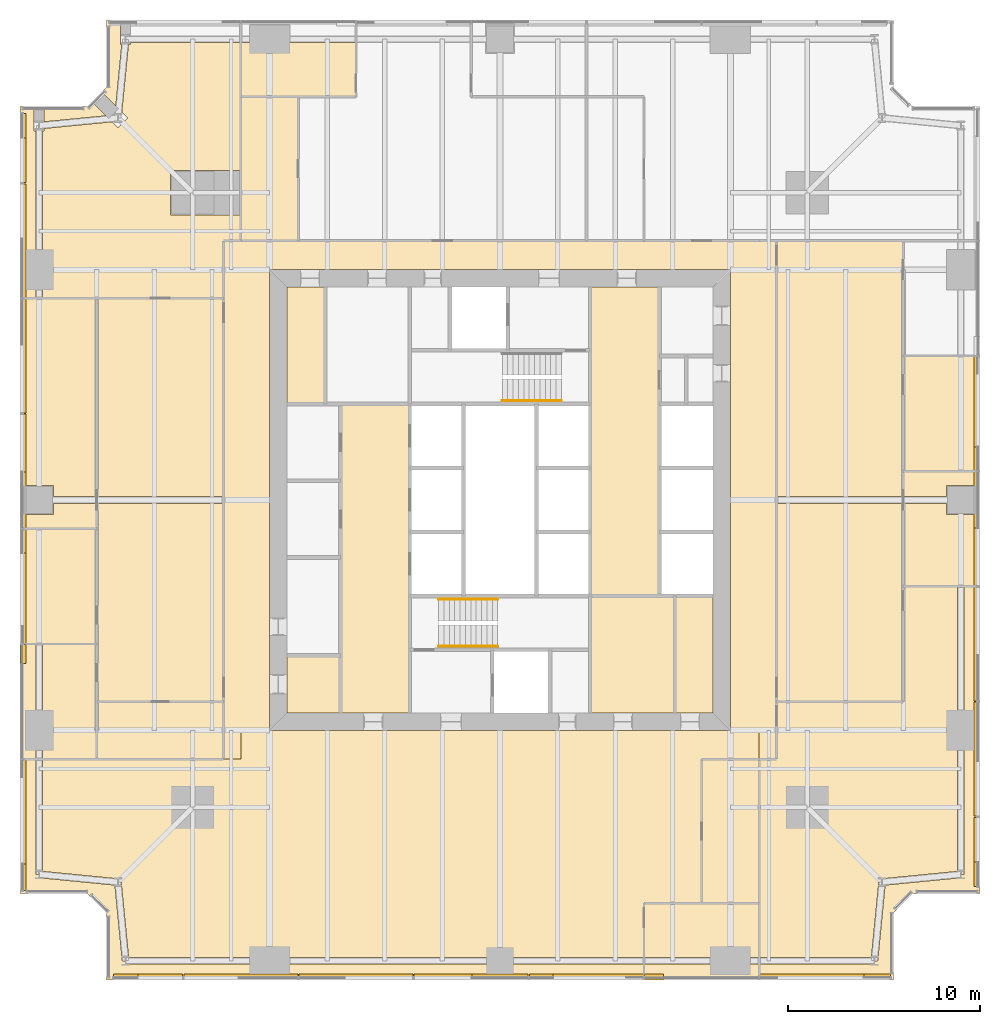
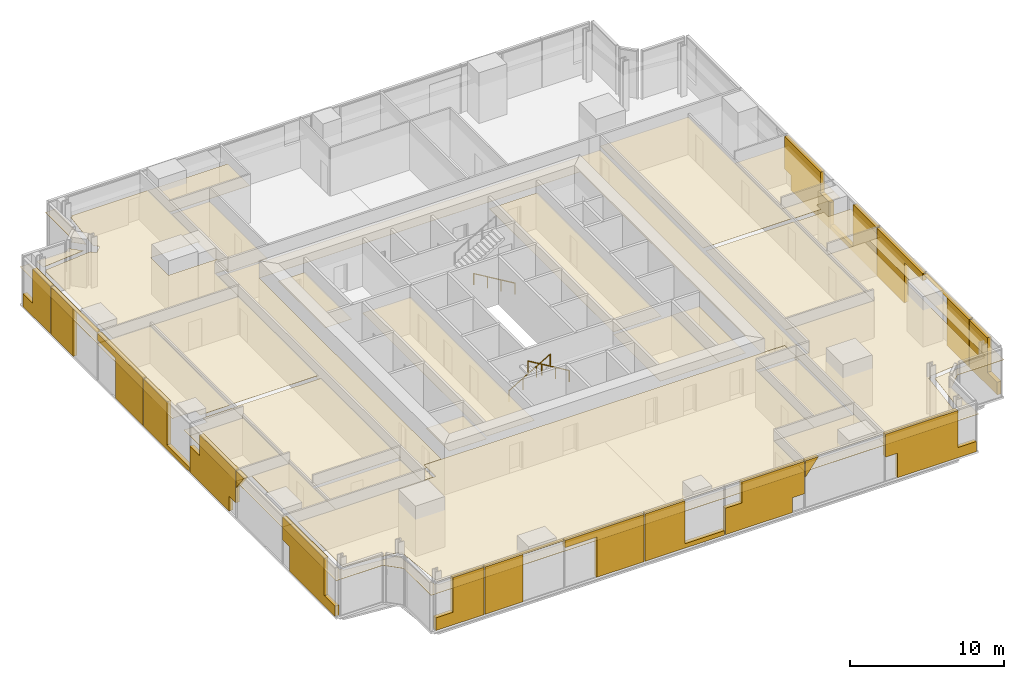
# One storey, part 13 of 14: 52 coverings, 3 railings.
"""IFC4 building model written with IfcOpenShell, lengths in metres."""

from ifc_helpers import new_model, si_unit, direction, frame, origin, origin_2d, place, context, subcontext, project, spatial, polyline, circle, outline, extrude, material, layer, layer_set, type_object, element, save


model = new_model("IFC4")

# Units and contexts
model_context = context("Model", 3, precision=1e-05, world=origin(), true_north=direction((0.0, 1.0)))
body_context = subcontext(model_context, "Body", "Model", "MODEL_VIEW")
ifc_project = project(units=[si_unit("LENGTHUNIT", "METRE"), si_unit("AREAUNIT", "SQUARE_METRE"), si_unit("VOLUMEUNIT", "CUBIC_METRE"), si_unit("PLANEANGLEUNIT", "RADIAN"), si_unit("MASSUNIT", "GRAM", prefix="KILO")], contexts=[model_context])

# Site, building, storey
site_placement = place(None, origin())
site = spatial("IfcSite", under=ifc_project, at=site_placement, CompositionType="ELEMENT")
building_placement = place(site_placement, origin())
building = spatial("IfcBuilding", under=site, at=building_placement, Name="Fenwick Lantern Interchange", CompositionType="ELEMENT")
storey_placement = place(building_placement, frame((0.0, 0.0, 118.39990234375)))
storey = spatial("IfcBuildingStorey", under=building, at=storey_placement, Name="L27", CompositionType="ELEMENT", Elevation=118.39990234375)

# Coverings
ifc_material_1 = material(Name="Mineral fibre acoustic tile on suspended grid")
ifc_layer_1 = layer(ifc_material_1, 0.02001953125)
ifc_layer_set_1 = layer_set([ifc_layer_1], Name="ACOUSTIC TILE CEILING 20")
covering_type_1 = type_object("IfcCoveringType", Name="ACOUSTIC TILE CEILING 20", PredefinedType="CEILING", material=ifc_layer_set_1)
covering_1_placement = place(storey_placement, frame((0.0, 0.0, 2.900146484375)))
element("IfcCovering", 1, at=covering_1_placement, inside=storey, type_object=covering_type_1, Name="Open office ceiling", PredefinedType="CEILING", context=body_context, shape_type="SweptSolid", body=[
    extrude(outline(polyline([(11.5, 11.5), (1.17236328125, 11.5), (1.17236328125, 5.656494140625), (5.11669921875, 5.271484375), (5.10009765625, 5.10009765625), (5.271484375, 5.11669921875), (5.656494140625, 1.17236328125), (13.0, 1.17236328125), (25.0, 1.17236328125), (32.5, 1.17236328125), (32.5, 4.0), (35.5, 4.0), (35.5, 11.5), (38.5, 11.5), (38.5, 13.0), (11.5, 13.0), (11.5, 11.5)])), origin(), (0.0, 0.0, 1.0), 0.02001953125),
])
covering_2_placement = place(storey_placement, frame((0.0, 0.0, 2.900146484375)))
element("IfcCovering", 2, at=covering_2_placement, inside=storey, type_object=covering_type_1, Name="Open office ceiling", PredefinedType="CEILING", context=body_context, shape_type="SweptSolid", body=[
    extrude(outline(polyline([(4.5, 3.5), (4.5, 0.0), (32.5, 0.0), (32.5, 0.82763671875), (25.0, 0.82763671875), (13.0, 0.82763671875), (5.5, 0.82763671875), (5.5, 1.0), (5.328369140625, 0.983154296875), (4.942138671875, 4.942138671875), (0.983154296875, 5.328369140625), (1.0, 5.5), (0.82763671875, 5.5), (0.82763671875, 11.5), (0.0, 11.5), (0.0, 4.5), (3.5, 4.5), (4.5, 3.5)])), origin(), (0.0, 0.0, 1.0), 0.02001953125),
])
covering_3_placement = place(storey_placement, frame((0.0, 0.0, 2.900146484375)))
element("IfcCovering", 3, at=covering_3_placement, inside=storey, type_object=covering_type_1, Name="Meeting room ceiling", PredefinedType="CEILING", context=body_context, shape_type="SweptSolid", body=[
    extrude(outline(polyline([(32.5, 4.0), (32.5, 1.17236328125), (37.0, 1.17236328125), (38.5, 1.17236328125), (38.5, 4.0), (32.5, 4.0)])), origin(), (0.0, 0.0, 1.0), 0.02001953125),
])
covering_4_placement = place(storey_placement, frame((0.0, 0.0, 2.900146484375)))
element("IfcCovering", 4, at=covering_4_placement, inside=storey, type_object=covering_type_1, Name="Meeting room ceiling", PredefinedType="CEILING", context=body_context, shape_type="SweptSolid", body=[
    extrude(outline(polyline([(38.5, 0.0), (38.5, 0.82763671875), (37.0, 0.82763671875), (32.5, 0.82763671875), (32.5, 0.0), (38.5, 0.0)])), origin(), (0.0, 0.0, 1.0), 0.02001953125),
])
covering_5_placement = place(storey_placement, frame((0.0, 0.0, 2.900146484375)))
element("IfcCovering", 5, at=covering_5_placement, inside=storey, type_object=covering_type_1, Name="Office suite ceiling", PredefinedType="CEILING", context=body_context, shape_type="SweptSolid", body=[
    extrude(outline(polyline([(39.39990234375, 38.5), (39.39990234375, 25.175048828125), (46.0, 25.175048828125), (46.0, 38.5), (39.39990234375, 38.5)])), origin(), (0.0, 0.0, 1.0), 0.02001953125),
])
covering_6_placement = place(storey_placement, frame((0.0, 0.0, 2.900146484375)))
element("IfcCovering", 6, at=covering_6_placement, inside=storey, type_object=covering_type_1, Name="Office suite ceiling", PredefinedType="CEILING", context=body_context, shape_type="SweptSolid", body=[
    extrude(outline(polyline([(39.39990234375, 24.824951171875), (39.39990234375, 14.5), (46.0, 14.5), (46.0, 24.824951171875), (39.39990234375, 24.824951171875)])), origin(), (0.0, 0.0, 1.0), 0.02001953125),
])
covering_7_placement = place(storey_placement, frame((0.0, 0.0, 2.900146484375)))
element("IfcCovering", 7, at=covering_7_placement, inside=storey, type_object=covering_type_1, Name="Meeting room ceiling", PredefinedType="CEILING", context=body_context, shape_type="SweptSolid", body=[
    extrude(outline(polyline([(48.82763671875, 20.5), (46.0, 20.5), (46.0, 14.5), (39.39990234375, 14.5), (39.39990234375, 11.5), (38.5, 11.5), (38.5, 1.17236328125), (44.343505859375, 1.17236328125), (44.728515625, 5.11669921875), (44.89990234375, 5.10009765625), (44.88330078125, 5.271484375), (48.82763671875, 5.656494140625), (48.82763671875, 13.0), (48.82763671875, 20.5)])), origin(), (0.0, 0.0, 1.0), 0.02001953125),
])
covering_8_placement = place(storey_placement, frame((0.0, 0.0, 2.900146484375)))
element("IfcCovering", 8, at=covering_8_placement, inside=storey, type_object=covering_type_1, Name="Meeting room ceiling", PredefinedType="CEILING", context=body_context, shape_type="SweptSolid", body=[
    extrude(outline(polyline([(50.0, 20.5), (49.17236328125, 20.5), (49.17236328125, 13.0), (49.17236328125, 5.5), (49.0, 5.5), (49.016845703125, 5.328369140625), (45.057861328125, 4.942138671875), (44.671630859375, 0.983154296875), (44.5, 1.0), (44.5, 0.82763671875), (38.5, 0.82763671875), (38.5, 0.0), (45.5, 0.0), (45.5, 3.5), (46.5, 4.5), (50.0, 4.5), (50.0, 20.5)])), origin(), (0.0, 0.0, 1.0), 0.02001953125),
])
covering_9_placement = place(storey_placement, frame((0.0, 0.0, 2.8681640625)))
element("IfcCovering", 9, at=covering_9_placement, inside=storey, type_object=covering_type_1, Name="Meeting room ceiling", PredefinedType="CEILING", context=body_context, shape_type="SweptSolid", body=[
    extrude(outline(polyline([(46.0, 20.5), (50.0, 20.5), (50.0, 24.25), (48.25, 24.25), (48.25, 24.824951171875), (46.0, 24.824951171875), (46.0, 20.5)])), origin(), (0.0, 0.0, 1.0), 0.02001953125),
])
covering_10_placement = place(storey_placement, frame((0.0, 0.0, 2.8681640625)))
element("IfcCovering", 10, at=covering_10_placement, inside=storey, type_object=covering_type_1, Name="Meeting room ceiling", PredefinedType="CEILING", context=body_context, shape_type="SweptSolid", body=[
    extrude(outline(polyline([(46.0, 26.5), (46.0, 25.175048828125), (48.25, 25.175048828125), (48.25, 25.75), (50.0, 25.75), (50.0, 26.5), (46.0, 26.5)])), origin(), (0.0, 0.0, 1.0), 0.02001953125),
])
covering_11_placement = place(storey_placement, frame((0.0, 0.0, 2.8681640625)))
element("IfcCovering", 11, at=covering_11_placement, inside=storey, type_object=covering_type_1, Name="Meeting room ceiling", PredefinedType="CEILING", context=body_context, shape_type="SweptSolid", body=[
    extrude(outline(polyline([(50.0, 26.5), (50.0, 32.5), (46.0, 32.5), (46.0, 26.5), (50.0, 26.5)])), origin(), (0.0, 0.0, 1.0), 0.02001953125),
])
covering_12_placement = place(storey_placement, frame((0.0, 0.0, 2.900146484375)))
element("IfcCovering", 12, at=covering_12_placement, inside=storey, type_object=covering_type_1, Name="Office ceiling", PredefinedType="CEILING", context=body_context, shape_type="SweptSolid", body=[
    extrude(outline(polyline([(17.5, 46.0), (17.5, 48.82763671875), (13.0, 48.82763671875), (11.5, 48.82763671875), (11.5, 46.0), (17.5, 46.0)])), origin(), (0.0, 0.0, 1.0), 0.02001953125),
])
covering_13_placement = place(storey_placement, frame((0.0, 0.0, 2.900146484375)))
element("IfcCovering", 13, at=covering_13_placement, inside=storey, type_object=covering_type_1, Name="Office suite ceiling", PredefinedType="CEILING", context=body_context, shape_type="SweptSolid", body=[
    extrude(outline(polyline([(10.60009765625, 14.5), (10.60009765625, 24.824951171875), (4.0, 24.824951171875), (4.0, 14.5), (10.60009765625, 14.5)])), origin(), (0.0, 0.0, 1.0), 0.02001953125),
])
covering_14_placement = place(storey_placement, frame((0.0, 0.0, 2.900146484375)))
element("IfcCovering", 14, at=covering_14_placement, inside=storey, type_object=covering_type_1, Name="Office suite ceiling", PredefinedType="CEILING", context=body_context, shape_type="SweptSolid", body=[
    extrude(outline(polyline([(10.60009765625, 25.175048828125), (10.60009765625, 35.5), (4.0, 35.5), (4.0, 25.175048828125), (10.60009765625, 25.175048828125)])), origin(), (0.0, 0.0, 1.0), 0.02001953125),
])
covering_15_placement = place(storey_placement, frame((0.0, 0.0, 2.900146484375)))
element("IfcCovering", 15, at=covering_15_placement, inside=storey, type_object=covering_type_1, Name="Office study ceiling", PredefinedType="CEILING", context=body_context, shape_type="SweptSolid", body=[
    extrude(outline(polyline([(5.76220703125, 48.71240234375), (5.645263671875, 48.71240234375), (5.303955078125, 45.21630859375), (5.620361328125, 44.89990234375), (5.10009765625, 44.379638671875), (4.78369140625, 44.696044921875), (1.26220703125, 44.352294921875), (1.26220703125, 44.21240234375), (1.17236328125, 44.21240234375), (1.17236328125, 37.0), (1.17236328125, 35.5), (10.60009765625, 35.5), (10.60009765625, 38.5), (11.5, 38.5), (11.5, 39.85009765625), (7.85009765625, 39.85009765625), (7.85009765625, 42.14990234375), (11.5, 42.14990234375), (11.5, 48.82763671875), (5.76220703125, 48.82763671875), (5.76220703125, 48.71240234375)])), origin(), (0.0, 0.0, 1.0), 0.02001953125),
])
covering_16_placement = place(storey_placement, frame((0.0, 0.0, 2.900146484375)))
element("IfcCovering", 16, at=covering_16_placement, inside=storey, type_object=covering_type_1, Name="Office study ceiling", PredefinedType="CEILING", context=body_context, shape_type="SweptSolid", body=[
    extrude(outline(polyline([(0.0, 35.5), (0.82763671875, 35.5), (0.82763671875, 37.0), (0.82763671875, 44.21240234375), (0.73779296875, 44.21240234375), (0.73779296875, 45.5), (0.0, 45.5), (0.0, 35.5)])), origin(), (0.0, 0.0, 1.0), 0.02001953125),
])
covering_17_placement = place(storey_placement, frame((0.0, 0.0, 2.900146484375)))
element("IfcCovering", 17, at=covering_17_placement, inside=storey, type_object=covering_type_1, Name="Office study ceiling", PredefinedType="CEILING", context=body_context, shape_type="SweptSolid", body=[
    extrude(outline(polyline([(5.298828125, 48.71240234375), (5.23779296875, 48.71240234375), (5.23779296875, 50.0), (4.5, 50.0), (4.5, 46.5), (4.26025390625, 46.26025390625), (4.988525390625, 45.531982421875), (5.298828125, 48.71240234375)])), origin(), (0.0, 0.0, 1.0), 0.02001953125),
])
covering_18_placement = place(storey_placement, frame((0.0, 0.0, 2.900146484375)))
element("IfcCovering", 18, at=covering_18_placement, inside=storey, type_object=covering_type_1, Name="Office study ceiling", PredefinedType="CEILING", context=body_context, shape_type="SweptSolid", body=[
    extrude(outline(polyline([(1.26220703125, 45.5), (1.26220703125, 44.69873046875), (4.468017578125, 45.011474609375), (3.73974609375, 45.73974609375), (3.5, 45.5), (1.26220703125, 45.5)])), origin(), (0.0, 0.0, 1.0), 0.02001953125),
])
covering_19_placement = place(storey_placement, frame((0.0, 0.0, 2.8681640625)))
element("IfcCovering", 19, at=covering_19_placement, inside=storey, type_object=covering_type_1, Name="Meeting room ceiling", PredefinedType="CEILING", context=body_context, shape_type="SweptSolid", body=[
    extrude(outline(polyline([(4.0, 25.175048828125), (4.0, 35.5), (0.0, 35.5), (0.0, 25.75), (1.75, 25.75), (1.75, 25.175048828125), (4.0, 25.175048828125)])), origin(), (0.0, 0.0, 1.0), 0.02001953125),
])
covering_20_placement = place(storey_placement, frame((0.0, 0.0, 2.8681640625)))
element("IfcCovering", 20, at=covering_20_placement, inside=storey, type_object=covering_type_1, Name="Meeting room ceiling", PredefinedType="CEILING", context=body_context, shape_type="SweptSolid", body=[
    extrude(outline(polyline([(4.0, 23.5), (4.0, 24.824951171875), (1.75, 24.824951171875), (1.75, 24.25), (0.0, 24.25), (0.0, 23.5), (4.0, 23.5)])), origin(), (0.0, 0.0, 1.0), 0.02001953125),
])
covering_21_placement = place(storey_placement, frame((0.0, 0.0, 2.8681640625)))
element("IfcCovering", 21, at=covering_21_placement, inside=storey, type_object=covering_type_1, Name="Office ceiling", PredefinedType="CEILING", context=body_context, shape_type="SweptSolid", body=[
    extrude(outline(polyline([(0.0, 23.5), (0.0, 17.5), (4.0, 17.5), (4.0, 23.5), (0.0, 23.5)])), origin(), (0.0, 0.0, 1.0), 0.02001953125),
])
covering_22_placement = place(storey_placement, frame((0.0, 0.0, 2.900146484375)))
element("IfcCovering", 22, at=covering_22_placement, inside=storey, type_object=covering_type_1, Name="Office ceiling", PredefinedType="CEILING", context=body_context, shape_type="SweptSolid", body=[
    extrude(outline(polyline([(4.0, 17.5), (1.17236328125, 17.5), (1.17236328125, 13.0), (1.17236328125, 11.5), (4.0, 11.5), (4.0, 17.5)])), origin(), (0.0, 0.0, 1.0), 0.02001953125),
])
covering_23_placement = place(storey_placement, frame((0.0, 0.0, 2.900146484375)))
element("IfcCovering", 23, at=covering_23_placement, inside=storey, type_object=covering_type_1, Name="Office ceiling", PredefinedType="CEILING", context=body_context, shape_type="SweptSolid", body=[
    extrude(outline(polyline([(0.0, 11.5), (0.82763671875, 11.5), (0.82763671875, 13.0), (0.82763671875, 17.5), (0.0, 17.5), (0.0, 11.5)])), origin(), (0.0, 0.0, 1.0), 0.02001953125),
])
covering_24_placement = place(storey_placement, frame((0.0, 0.0, 2.7001953125)))
element("IfcCovering", 24, at=covering_24_placement, inside=storey, type_object=covering_type_1, Name="Print and copy room ceiling", PredefinedType="CEILING", context=body_context, shape_type="SweptSolid", body=[
    extrude(outline(polyline([(4.0, 14.5), (4.0, 11.5), (10.60009765625, 11.5), (10.60009765625, 14.5), (4.0, 14.5)])), origin(), (0.0, 0.0, 1.0), 0.02001953125),
])
ifc_material_2 = material(Name="Granite cladding, warm grey flamed finish, on aluminium carrier frame", Category="masonry")
ifc_layer_2 = layer(ifc_material_2, 0.300048828125)
ifc_layer_set_2 = layer_set([ifc_layer_2], Name="BRACE CASING PANEL 300")
covering_type_2 = type_object("IfcCoveringType", Name="BRACE CASING PANEL 300", PredefinedType="CLADDING", material=ifc_layer_set_2)
covering_25_placement = place(storey_placement, frame((4.60009765625, 0.10009765625, 0.0), z_axis=(0.0, 0.0, 1.0), x_axis=(1.0, 0.0, 0.0)))
element("IfcCovering", 25, at=covering_25_placement, inside=storey, type_object=covering_type_2, Name="Brace casing 01 bay 00a", PredefinedType="CLADDING", context=body_context, shape_type="SweptSolid", body=[
    extrude(outline(polyline([(0.264892578125, 0.0), (3.867431640625, 0.0), (3.867431640625, 3.75), (1.544921875, 3.75), (1.544921875, 1.010986328125), (0.264892578125, 1.010986328125), (0.264892578125, 0.0)])), frame((0.0, 0.2001953125, 0.0), z_axis=(0.0, -1.0, 0.0), x_axis=(1.0, 0.0, 0.0)), (0.0, 0.0, 1.0), 0.300048828125),
])
covering_26_placement = place(storey_placement, frame((4.60009765625, 0.10009765625, 0.0), z_axis=(0.0, 0.0, 1.0), x_axis=(1.0, 0.0, 0.0)))
element("IfcCovering", 26, at=covering_26_placement, inside=storey, type_object=covering_type_2, Name="Brace casing 01 bay 01a", PredefinedType="CLADDING", context=body_context, shape_type="SweptSolid", body=[
    extrude(outline(polyline([(3.9326171875, 0.0), (6.802001953125, 0.0), (6.802001953125, 3.744140625), (9.867431640625, 3.744140625), (9.867431640625, 3.75), (3.9326171875, 3.75), (3.9326171875, 0.0)])), frame((0.0, 0.2001953125, 0.0), z_axis=(0.0, -1.0, 0.0), x_axis=(1.0, 0.0, 0.0)), (0.0, 0.0, 1.0), 0.300048828125),
])
covering_27_placement = place(storey_placement, frame((4.60009765625, 0.10009765625, 0.0), z_axis=(0.0, 0.0, 1.0), x_axis=(1.0, 0.0, 0.0)))
element("IfcCovering", 27, at=covering_27_placement, inside=storey, type_object=covering_type_2, Name="Brace casing 01 bay 02a", PredefinedType="CLADDING", context=body_context, shape_type="SweptSolid", body=[
    extrude(outline(polyline([(12.3125, 0.0), (15.867431640625, 0.0), (15.867431640625, 3.75), (9.9326171875, 3.75), (9.9326171875, 3.177490234375), (12.3125, 3.177490234375), (12.3125, 0.0)])), frame((0.0, 0.2001953125, 0.0), z_axis=(0.0, -1.0, 0.0), x_axis=(1.0, 0.0, 0.0)), (0.0, 0.0, 1.0), 0.300048828125),
])
covering_28_placement = place(storey_placement, frame((4.60009765625, 0.10009765625, 0.0), z_axis=(0.0, 0.0, 1.0), x_axis=(1.0, 0.0, 0.0)))
element("IfcCovering", 28, at=covering_28_placement, inside=storey, type_object=covering_type_2, Name="Brace casing 01 bay 03a", PredefinedType="CLADDING", context=body_context, shape_type="SweptSolid", body=[
    extrude(outline(polyline([(15.9326171875, 0.0), (21.867431640625, 0.0), (21.867431640625, 0.350830078125), (18.93310546875, 0.350830078125), (18.93310546875, 3.75), (15.9326171875, 3.75), (15.9326171875, 0.0)])), frame((0.0, 0.2001953125, 0.0), z_axis=(0.0, -1.0, 0.0), x_axis=(1.0, 0.0, 0.0)), (0.0, 0.0, 1.0), 0.300048828125),
])
covering_29_placement = place(storey_placement, frame((4.60009765625, 0.10009765625, 0.0), z_axis=(0.0, 0.0, 1.0), x_axis=(1.0, 0.0, 0.0)))
element("IfcCovering", 29, at=covering_29_placement, inside=storey, type_object=covering_type_2, Name="Brace casing 01 bay 04a", PredefinedType="CLADDING", context=body_context, shape_type="SweptSolid", body=[
    extrude(outline(polyline([(21.9326171875, 0.0), (26.984375, 0.0), (26.984375, 1.17333984375), (27.867431640625, 1.17333984375), (27.867431640625, 3.75), (23.172607421875, 3.75), (23.172607421875, 2.0908203125), (21.9326171875, 2.0908203125), (21.9326171875, 0.0)])), frame((0.0, 0.2001953125, 0.0), z_axis=(0.0, -1.0, 0.0), x_axis=(1.0, 0.0, 0.0)), (0.0, 0.0, 1.0), 0.300048828125),
])
covering_30_placement = place(storey_placement, frame((4.60009765625, 0.10009765625, 2.4375), z_axis=(0.0, 0.0, 1.0), x_axis=(1.0, 0.0, 0.0)))
element("IfcCovering", 30, at=covering_30_placement, inside=storey, type_object=covering_type_2, Name="Brace casing 01 bay 05a", PredefinedType="CLADDING", context=body_context, shape_type="SweptSolid", body=[
    extrude(outline(polyline([(27.9326171875, 0.0), (28.9169921875, 1.3125), (27.9326171875, 1.3125), (27.9326171875, 0.0)])), frame((0.0, 0.2001953125, 0.0), z_axis=(0.0, -1.0, 0.0), x_axis=(1.0, 0.0, 0.0)), (0.0, 0.0, 1.0), 0.300048828125),
])
covering_31_placement = place(storey_placement, frame((4.60009765625, 0.10009765625, 0.0), z_axis=(0.0, 0.0, 1.0), x_axis=(1.0, 0.0, 0.0)))
element("IfcCovering", 31, at=covering_31_placement, inside=storey, type_object=covering_type_2, Name="Brace casing 01 bay 06a", PredefinedType="CLADDING", context=body_context, shape_type="SweptSolid", body=[
    extrude(outline(polyline([(34.842529296875, 0.0), (40.735107421875, 0.0), (40.735107421875, 0.80615234375), (39.35107421875, 0.80615234375), (39.35107421875, 3.75), (33.9326171875, 3.75), (33.9326171875, 1.9423828125), (34.842529296875, 1.9423828125), (34.842529296875, 0.0)])), frame((0.0, 0.2001953125, 0.0), z_axis=(0.0, -1.0, 0.0), x_axis=(1.0, 0.0, 0.0)), (0.0, 0.0, 1.0), 0.300048828125),
])
covering_32_placement = place(storey_placement, frame((49.89990234375, 4.60009765625, 0.0), z_axis=(0.0, 0.0, 1.0), x_axis=(0.0, 1.0, 0.0)))
element("IfcCovering", 32, at=covering_32_placement, inside=storey, type_object=covering_type_2, Name="Brace casing 05 bay 00a", PredefinedType="CLADDING", context=body_context, shape_type="SweptSolid", body=[
    extrude(outline(polyline([(0.264892578125, 0.0), (3.867431640625, 0.0), (3.867431640625, 3.75), (1.544921875, 3.75), (1.544921875, 1.010986328125), (0.264892578125, 1.010986328125), (0.264892578125, 0.0)])), frame((0.0, 0.2001953125, 0.0), z_axis=(0.0, -1.0, 0.0), x_axis=(1.0, 0.0, 0.0)), (0.0, 0.0, 1.0), 0.300048828125),
])
covering_33_placement = place(storey_placement, frame((49.89990234375, 4.60009765625, 0.0), z_axis=(0.0, 0.0, 1.0), x_axis=(0.0, 1.0, 0.0)))
element("IfcCovering", 33, at=covering_33_placement, inside=storey, type_object=covering_type_2, Name="Brace casing 05 bay 01a", PredefinedType="CLADDING", context=body_context, shape_type="SweptSolid", body=[
    extrude(outline(polyline([(3.9326171875, 0.0), (6.802001953125, 0.0), (6.802001953125, 3.744140625), (9.867431640625, 3.744140625), (9.867431640625, 3.75), (3.9326171875, 3.75), (3.9326171875, 0.0)])), frame((0.0, 0.2001953125, 0.0), z_axis=(0.0, -1.0, 0.0), x_axis=(1.0, 0.0, 0.0)), (0.0, 0.0, 1.0), 0.300048828125),
])
covering_34_placement = place(storey_placement, frame((49.89990234375, 4.60009765625, 0.0), z_axis=(0.0, 0.0, 1.0), x_axis=(0.0, 1.0, 0.0)))
element("IfcCovering", 34, at=covering_34_placement, inside=storey, type_object=covering_type_2, Name="Brace casing 05 bay 02a", PredefinedType="CLADDING", context=body_context, shape_type="SweptSolid", body=[
    extrude(outline(polyline([(12.3125, 0.0), (15.867431640625, 0.0), (15.867431640625, 3.75), (9.9326171875, 3.75), (9.9326171875, 3.177490234375), (12.3125, 3.177490234375), (12.3125, 0.0)])), frame((0.0, 0.2001953125, 0.0), z_axis=(0.0, -1.0, 0.0), x_axis=(1.0, 0.0, 0.0)), (0.0, 0.0, 1.0), 0.300048828125),
])
covering_35_placement = place(storey_placement, frame((49.89990234375, 4.60009765625, 0.0), z_axis=(0.0, 0.0, 1.0), x_axis=(0.0, 1.0, 0.0)))
element("IfcCovering", 35, at=covering_35_placement, inside=storey, type_object=covering_type_2, Name="Brace casing 05 bay 03a", PredefinedType="CLADDING", context=body_context, shape_type="SweptSolid", body=[
    extrude(outline(polyline([(15.9326171875, 0.0), (21.867431640625, 0.0), (21.867431640625, 0.350830078125), (18.93310546875, 0.350830078125), (18.93310546875, 3.75), (15.9326171875, 3.75), (15.9326171875, 0.0)])), frame((0.0, 0.2001953125, 0.0), z_axis=(0.0, -1.0, 0.0), x_axis=(1.0, 0.0, 0.0)), (0.0, 0.0, 1.0), 0.300048828125),
])
covering_36_placement = place(storey_placement, frame((49.89990234375, 4.60009765625, 0.0), z_axis=(0.0, 0.0, 1.0), x_axis=(0.0, 1.0, 0.0)))
element("IfcCovering", 36, at=covering_36_placement, inside=storey, type_object=covering_type_2, Name="Brace casing 05 bay 04a", PredefinedType="CLADDING", context=body_context, shape_type="SweptSolid", body=[
    extrude(outline(polyline([(21.9326171875, 0.0), (26.984375, 0.0), (26.984375, 1.17333984375), (27.867431640625, 1.17333984375), (27.867431640625, 3.75), (23.172607421875, 3.75), (23.172607421875, 2.0908203125), (21.9326171875, 2.0908203125), (21.9326171875, 0.0)])), frame((0.0, 0.2001953125, 0.0), z_axis=(0.0, -1.0, 0.0), x_axis=(1.0, 0.0, 0.0)), (0.0, 0.0, 1.0), 0.300048828125),
])
covering_37_placement = place(storey_placement, frame((0.10009765625, 45.39990234375, 0.0), z_axis=(0.0, 0.0, 1.0), x_axis=(0.0, -1.0, 0.0)))
element("IfcCovering", 37, at=covering_37_placement, inside=storey, type_object=covering_type_2, Name="Brace casing 13 bay 00a", PredefinedType="CLADDING", context=body_context, shape_type="SweptSolid", body=[
    extrude(outline(polyline([(0.264892578125, 0.0), (3.867431640625, 0.0), (3.867431640625, 3.75), (1.544921875, 3.75), (1.544921875, 1.010986328125), (0.264892578125, 1.010986328125), (0.264892578125, 0.0)])), frame((0.0, 0.2001953125, 0.0), z_axis=(0.0, -1.0, 0.0), x_axis=(1.0, 0.0, 0.0)), (0.0, 0.0, 1.0), 0.300048828125),
])
covering_38_placement = place(storey_placement, frame((0.10009765625, 45.39990234375, 0.0), z_axis=(0.0, 0.0, 1.0), x_axis=(0.0, -1.0, 0.0)))
element("IfcCovering", 38, at=covering_38_placement, inside=storey, type_object=covering_type_2, Name="Brace casing 13 bay 01a", PredefinedType="CLADDING", context=body_context, shape_type="SweptSolid", body=[
    extrude(outline(polyline([(3.9326171875, 0.0), (6.802001953125, 0.0), (6.802001953125, 3.744140625), (9.867431640625, 3.744140625), (9.867431640625, 3.75), (3.9326171875, 3.75), (3.9326171875, 0.0)])), frame((0.0, 0.2001953125, 0.0), z_axis=(0.0, -1.0, 0.0), x_axis=(1.0, 0.0, 0.0)), (0.0, 0.0, 1.0), 0.300048828125),
])
covering_39_placement = place(storey_placement, frame((0.10009765625, 45.39990234375, 0.0), z_axis=(0.0, 0.0, 1.0), x_axis=(0.0, -1.0, 0.0)))
element("IfcCovering", 39, at=covering_39_placement, inside=storey, type_object=covering_type_2, Name="Brace casing 13 bay 02a", PredefinedType="CLADDING", context=body_context, shape_type="SweptSolid", body=[
    extrude(outline(polyline([(12.3125, 0.0), (15.867431640625, 0.0), (15.867431640625, 3.75), (9.9326171875, 3.75), (9.9326171875, 3.177490234375), (12.3125, 3.177490234375), (12.3125, 0.0)])), frame((0.0, 0.2001953125, 0.0), z_axis=(0.0, -1.0, 0.0), x_axis=(1.0, 0.0, 0.0)), (0.0, 0.0, 1.0), 0.300048828125),
])
covering_40_placement = place(storey_placement, frame((0.10009765625, 45.39990234375, 0.0), z_axis=(0.0, 0.0, 1.0), x_axis=(0.0, -1.0, 0.0)))
element("IfcCovering", 40, at=covering_40_placement, inside=storey, type_object=covering_type_2, Name="Brace casing 13 bay 03a", PredefinedType="CLADDING", context=body_context, shape_type="SweptSolid", body=[
    extrude(outline(polyline([(15.9326171875, 0.0), (21.867431640625, 0.0), (21.867431640625, 0.350830078125), (18.93310546875, 0.350830078125), (18.93310546875, 3.75), (15.9326171875, 3.75), (15.9326171875, 0.0)])), frame((0.0, 0.2001953125, 0.0), z_axis=(0.0, -1.0, 0.0), x_axis=(1.0, 0.0, 0.0)), (0.0, 0.0, 1.0), 0.300048828125),
])
covering_41_placement = place(storey_placement, frame((0.10009765625, 45.39990234375, 0.0), z_axis=(0.0, 0.0, 1.0), x_axis=(0.0, -1.0, 0.0)))
element("IfcCovering", 41, at=covering_41_placement, inside=storey, type_object=covering_type_2, Name="Brace casing 13 bay 04a", PredefinedType="CLADDING", context=body_context, shape_type="SweptSolid", body=[
    extrude(outline(polyline([(21.9326171875, 0.0), (26.984375, 0.0), (26.984375, 1.17333984375), (27.867431640625, 1.17333984375), (27.867431640625, 3.75), (23.172607421875, 3.75), (23.172607421875, 2.0908203125), (21.9326171875, 2.0908203125), (21.9326171875, 0.0)])), frame((0.0, 0.2001953125, 0.0), z_axis=(0.0, -1.0, 0.0), x_axis=(1.0, 0.0, 0.0)), (0.0, 0.0, 1.0), 0.300048828125),
])
covering_42_placement = place(storey_placement, frame((0.10009765625, 45.39990234375, 2.4375), z_axis=(0.0, 0.0, 1.0), x_axis=(0.0, -1.0, 0.0)))
element("IfcCovering", 42, at=covering_42_placement, inside=storey, type_object=covering_type_2, Name="Brace casing 13 bay 05a", PredefinedType="CLADDING", context=body_context, shape_type="SweptSolid", body=[
    extrude(outline(polyline([(27.9326171875, 0.0), (28.9169921875, 1.3125), (27.9326171875, 1.3125), (27.9326171875, 0.0)])), frame((0.0, 0.2001953125, 0.0), z_axis=(0.0, -1.0, 0.0), x_axis=(1.0, 0.0, 0.0)), (0.0, 0.0, 1.0), 0.300048828125),
])
covering_43_placement = place(storey_placement, frame((0.10009765625, 45.39990234375, 0.0), z_axis=(0.0, 0.0, 1.0), x_axis=(0.0, -1.0, 0.0)))
element("IfcCovering", 43, at=covering_43_placement, inside=storey, type_object=covering_type_2, Name="Brace casing 13 bay 06a", PredefinedType="CLADDING", context=body_context, shape_type="SweptSolid", body=[
    extrude(outline(polyline([(34.842529296875, 0.0), (40.735107421875, 0.0), (40.735107421875, 0.80615234375), (39.35107421875, 0.80615234375), (39.35107421875, 3.75), (33.9326171875, 3.75), (33.9326171875, 1.9423828125), (34.842529296875, 1.9423828125), (34.842529296875, 0.0)])), frame((0.0, 0.2001953125, 0.0), z_axis=(0.0, -1.0, 0.0), x_axis=(1.0, 0.0, 0.0)), (0.0, 0.0, 1.0), 0.300048828125),
])

# Railings
ifc_material_3 = material(Name="Stainless steel handrail", Category="steel")
railing_type = type_object("IfcRailingType", Name="HANDRAIL 900", PredefinedType="HANDRAIL", material=ifc_material_3)
railing_placement = place(storey_placement, frame((21.800048828125, 19.825927734375, 0.166748046875)))
element("IfcRailing", 44, at=railing_placement, inside=storey, type_object=railing_type, Name="L27/STAIR/ST1/HR1", PredefinedType="HANDRAIL", context=body_context, shape_type="SweptSolid", body=[
    extrude(circle(Radius=0.02392578125, at=origin_2d()), frame((0.0, 0.0, 0.8759765625), z_axis=(0.859290745958, 0.0, 0.51148745235), x_axis=(0.0, 1.0, 0.0)), (0.0, 0.0, 1.0), 3.584228515625),
    extrude(circle(Radius=0.02099609375, at=origin_2d()), origin(), (0.0, 0.0, 1.0), 0.851806640625),
    extrude(circle(Radius=0.02099609375, at=origin_2d()), frame((1.026611328125, 0.0, 0.611083984375)), (0.0, 0.0, 1.0), 0.851806640625),
    extrude(circle(Radius=0.02099609375, at=origin_2d()), frame((2.05322265625, 0.0, 1.22216796875)), (0.0, 0.0, 1.0), 0.851806640625),
    extrude(circle(Radius=0.02099609375, at=origin_2d()), frame((3.079833984375, 0.0, 1.833251953125)), (0.0, 0.0, 1.0), 0.851806640625),
])
for number, where, name in (
    (45, (24.8798828125, 17.3740234375, 2.166748046875), "L27/STAIR/ST1/HR2"),
    (46, (28.199951171875, 30.174072265625, 0.166748046875), "L27/STAIR/ST2/HR1"),
):
    element("IfcRailing", number, at=place(storey_placement, frame(where)), inside=storey, type_object=railing_type, Name=name, PredefinedType="HANDRAIL", context=body_context, shape_type="SweptSolid", body=[
        extrude(circle(Radius=0.02392578125, at=origin_2d()), frame((0.0, 0.0, 0.8759765625), z_axis=(-0.859290745958, 0.0, 0.51148745235), x_axis=(0.0, -1.0, 0.0)), (0.0, 0.0, 1.0), 3.584228515625),
        extrude(circle(Radius=0.02099609375, at=origin_2d()), origin(), (0.0, 0.0, 1.0), 0.851806640625),
        extrude(circle(Radius=0.02099609375, at=origin_2d()), frame((-1.026611328125, 0.0, 0.611083984375)), (0.0, 0.0, 1.0), 0.851806640625),
        extrude(circle(Radius=0.02099609375, at=origin_2d()), frame((-2.05322265625, 0.0, 1.22216796875)), (0.0, 0.0, 1.0), 0.851806640625),
        extrude(circle(Radius=0.02099609375, at=origin_2d()), frame((-3.079833984375, 0.0, 1.833251953125)), (0.0, 0.0, 1.0), 0.851806640625),
    ])

# Coverings
ifc_material_4 = material(Name="Moisture resistant gypsum board on suspended frame, painted")
ifc_layer_3 = layer(ifc_material_4, 0.014892578125)
ifc_layer_set_3 = layer_set([ifc_layer_3], Name="MOISTURE RESISTANT CEILING 15")
covering_type_3 = type_object("IfcCoveringType", Name="MOISTURE RESISTANT CEILING 15", PredefinedType="CEILING", material=ifc_layer_set_3)
covering_44_placement = place(storey_placement, frame((0.0, 0.0, 2.60009765625)))
element("IfcCovering", 47, at=covering_44_placement, inside=storey, type_object=covering_type_3, Name="Women's WC ceiling", PredefinedType="CEILING", context=body_context, shape_type="SweptSolid", body=[
    extrude(outline(polyline([(29.699951171875, 13.89990234375), (34.10009765625, 13.89990234375), (34.10009765625, 20.0), (29.699951171875, 20.0), (29.699951171875, 13.89990234375)])), origin(), (0.0, 0.0, 1.0), 0.014892578125),
])
covering_45_placement = place(storey_placement, frame((0.0, 0.0, 2.60009765625)))
element("IfcCovering", 48, at=covering_45_placement, inside=storey, type_object=covering_type_3, Name="Men's WC ceiling", PredefinedType="CEILING", context=body_context, shape_type="SweptSolid", body=[
    extrude(outline(polyline([(34.10009765625, 13.89990234375), (36.10009765625, 13.89990234375), (36.10009765625, 20.0), (34.10009765625, 20.0), (34.10009765625, 13.89990234375)])), origin(), (0.0, 0.0, 1.0), 0.014892578125),
])
covering_46_placement = place(storey_placement, frame((0.0, 0.0, 2.60009765625)))
element("IfcCovering", 49, at=covering_46_placement, inside=storey, type_object=covering_type_3, Name="Accessible WC ceiling", PredefinedType="CEILING", context=body_context, shape_type="SweptSolid", body=[
    extrude(outline(polyline([(13.89990234375, 13.89990234375), (16.699951171875, 13.89990234375), (16.699951171875, 16.89990234375), (13.89990234375, 16.89990234375), (13.89990234375, 13.89990234375)])), origin(), (0.0, 0.0, 1.0), 0.014892578125),
])
covering_47_placement = place(storey_placement, frame((0.0, 0.0, 2.60009765625)))
element("IfcCovering", 50, at=covering_47_placement, inside=storey, type_object=covering_type_3, Name="Men's WC ceiling", PredefinedType="CEILING", context=body_context, shape_type="SweptSolid", body=[
    extrude(outline(polyline([(15.89990234375, 36.10009765625), (13.89990234375, 36.10009765625), (13.89990234375, 30.0), (15.89990234375, 30.0), (15.89990234375, 36.10009765625)])), origin(), (0.0, 0.0, 1.0), 0.014892578125),
])
covering_48_placement = place(storey_placement, frame((0.0, 0.0, 2.7001953125)))
element("IfcCovering", 51, at=covering_48_placement, inside=storey, type_object=covering_type_3, Name="Pantry ceiling", PredefinedType="CEILING", context=body_context, shape_type="SweptSolid", body=[
    extrude(outline(polyline([(35.5, 4.0), (38.5, 4.0), (38.5, 11.5), (35.5, 11.5), (35.5, 4.0)])), origin(), (0.0, 0.0, 1.0), 0.014892578125),
])
covering_49_placement = place(storey_placement, frame((0.0, 0.0, 2.7001953125)))
element("IfcCovering", 52, at=covering_49_placement, inside=storey, type_object=covering_type_3, Name="Pantry ceiling", PredefinedType="CEILING", context=body_context, shape_type="SweptSolid", body=[
    extrude(outline(polyline([(14.5, 46.0), (11.5, 46.0), (11.5, 38.5), (14.5, 38.5), (14.5, 46.0)])), origin(), (0.0, 0.0, 1.0), 0.014892578125),
])
ifc_material_5 = material(Name="Gypsum plasterboard on suspended frame, painted")
ifc_layer_4 = layer(ifc_material_5, 0.014892578125)
ifc_layer_set_4 = layer_set([ifc_layer_4], Name="PLASTERBOARD CEILING 15")
covering_type_4 = type_object("IfcCoveringType", Name="PLASTERBOARD CEILING 15", PredefinedType="CEILING", material=ifc_layer_set_4)
covering_50_placement = place(storey_placement, frame((0.0, 0.0, 2.800048828125)))
element("IfcCovering", 53, at=covering_50_placement, inside=storey, type_object=covering_type_4, Name="Lift lobby ceiling", PredefinedType="CEILING", context=body_context, shape_type="SweptSolid", body=[
    extrude(outline(polyline([(16.699951171875, 13.89990234375), (20.300048828125, 13.89990234375), (20.300048828125, 30.0), (16.699951171875, 30.0), (16.699951171875, 13.89990234375)])), origin(), (0.0, 0.0, 1.0), 0.01513671875),
])
covering_51_placement = place(storey_placement, frame((0.0, 0.0, 2.800048828125)))
element("IfcCovering", 54, at=covering_51_placement, inside=storey, type_object=covering_type_4, Name="Lift lobby ceiling", PredefinedType="CEILING", context=body_context, shape_type="SweptSolid", body=[
    extrude(outline(polyline([(33.300048828125, 36.10009765625), (29.699951171875, 36.10009765625), (29.699951171875, 20.0), (33.300048828125, 20.0), (33.300048828125, 36.10009765625)])), origin(), (0.0, 0.0, 1.0), 0.01513671875),
])
covering_52_placement = place(storey_placement, frame((0.0, 0.0, 2.60009765625)))
element("IfcCovering", 55, at=covering_52_placement, inside=storey, type_object=covering_type_4, Name="Corridor ceiling", PredefinedType="CEILING", context=body_context, shape_type="SweptSolid", body=[
    extrude(outline(polyline([(10.60009765625, 38.5), (10.60009765625, 11.5), (11.5, 11.5), (11.5, 13.0), (13.0, 13.0), (13.0, 37.0), (37.0, 37.0), (37.0, 13.0), (38.5, 13.0), (38.5, 11.5), (39.39990234375, 11.5), (39.39990234375, 38.5), (10.60009765625, 38.5)])), origin(), (0.0, 0.0, 1.0), 0.014892578125),
])

save(model, "model.ifc")
